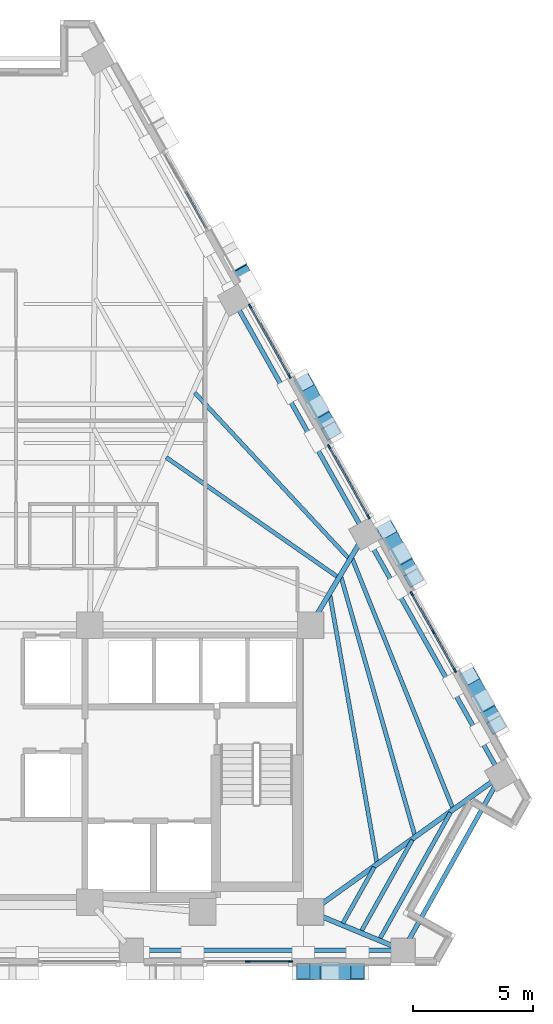
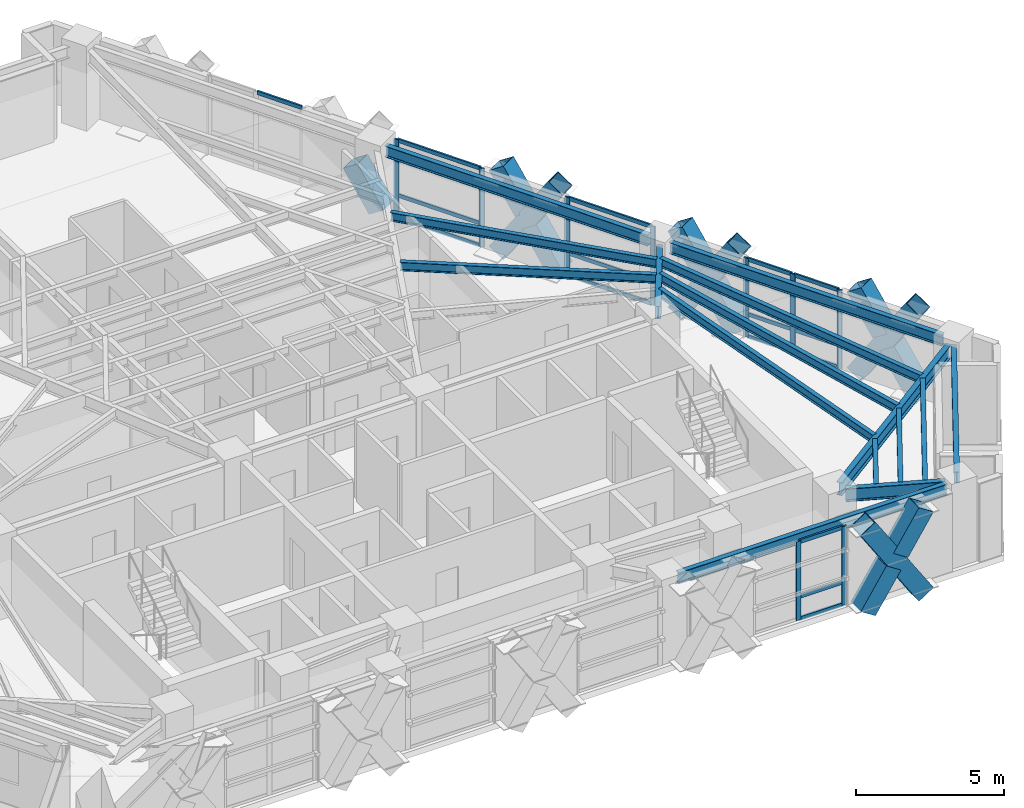
# One storey, part 4 of 14: 38 members, 15 beams, 5 elements without a shape of their own.
"""IFC4 building model written with IfcOpenShell, lengths in metres."""

from ifc_helpers import new_model, si_unit, direction, frame, origin, origin_2d, place, context, subcontext, project, spatial, rectangle, hollow_rectangle, i_section, extrude, material, material_profile, profile_set, type_object, element, aggregate, save


model = new_model("IFC4")

# Units and contexts
model_context = context("Model", 3, precision=1e-05, world=origin(), true_north=direction((0.0, 1.0)))
body_context = subcontext(model_context, "Body", "Model", "MODEL_VIEW")
ifc_project = project(units=[si_unit("LENGTHUNIT", "METRE"), si_unit("AREAUNIT", "SQUARE_METRE"), si_unit("VOLUMEUNIT", "CUBIC_METRE"), si_unit("PLANEANGLEUNIT", "RADIAN"), si_unit("MASSUNIT", "GRAM", prefix="KILO")], contexts=[model_context])

# Site, building, storey
site_placement = place(None, origin())
site = spatial("IfcSite", under=ifc_project, at=site_placement, CompositionType="ELEMENT")
building_placement = place(site_placement, origin())
building = spatial("IfcBuilding", under=site, at=building_placement, Name="Quenlor Broadcast Tower", CompositionType="ELEMENT")
storey_placement = place(building_placement, frame((0.0, 0.0, 144.0)))
storey = spatial("IfcBuildingStorey", under=building, at=storey_placement, Name="L39", CompositionType="ELEMENT", Elevation=144.0)

# Curtain wall, members
ifc_material_1 = material(Name="Architectural Terracotta and Low-E Glazing", Category="masonry")
curtain_wall_type = type_object("IfcCurtainWallType", Name="Unitised Terracotta Curtain Wall System Z3", PredefinedType="NOTDEFINED", material=ifc_material_1)
curtain_wall_1_placement = place(storey_placement, origin())
curtain_wall_1 = element("IfcCurtainWall", 1, at=curtain_wall_1_placement, inside=storey, type_object=curtain_wall_type, Name="L39 Curtain Wall CW3 (L39-SA-G1)", PredefinedType="NOTDEFINED")
ifc_material_2 = material(Name="Aluminium 6063-T6", Category="aluminium")
ifc_material_profile_1 = material_profile(ifc_material_2, rectangle(XDim=0.070068359375, YDim=0.18994140625, at=origin_2d()))
ifc_profile_set_1 = profile_set([ifc_material_profile_1], Name="Aluminium 6063-T6 MULL70x190")
member_type_1 = type_object("IfcMemberType", Name="CW3 Aluminium Mullion MULL_CW3", PredefinedType="MULLION", material=ifc_profile_set_1)
member_1_placement = place(storey_placement, frame((12.114013671875, -18.824951171875, 0.0), z_axis=(0.0, 0.0, 1.0), x_axis=(0.0, -1.0, 0.0)))
member_1 = element("IfcMember", 2, at=member_1_placement, type_object=member_type_1, Name="CW3 mullion 1", PredefinedType="MULLION", context=body_context, shape_type="SweptSolid", body=[
    extrude(rectangle(XDim=0.070068359375, YDim=0.18994140625, at=origin_2d()), origin(), (0.0, 0.0, 1.0), 3.25),
])
member_2_placement = place(storey_placement, frame((10.33203125, -18.824951171875, 0.0), z_axis=(0.0, 0.0, 1.0), x_axis=(0.0, -1.0, 0.0)))
member_2 = element("IfcMember", 3, at=member_2_placement, type_object=member_type_1, Name="CW3 mullion 2", PredefinedType="MULLION", context=body_context, shape_type="SweptSolid", body=[
    extrude(rectangle(XDim=0.070068359375, YDim=0.18994140625, at=origin_2d()), origin(), (0.0, 0.0, 1.0), 3.25),
])

curtain_wall_2_placement = place(storey_placement, origin())
curtain_wall_2 = element("IfcCurtainWall", 4, at=curtain_wall_2_placement, inside=storey, type_object=curtain_wall_type, Name="L39 Curtain Wall CW3 (L39-NEC-G1)", PredefinedType="NOTDEFINED")
member_3_placement = place(storey_placement, frame((17.17138671875, -3.48388671875, 0.0), z_axis=(0.0, 0.0, 1.0), x_axis=(0.871576967495, 0.490258696743, 0.0)))
member_3 = element("IfcMember", 5, at=member_3_placement, type_object=member_type_1, Name="CW3 mullion 1", PredefinedType="MULLION", context=body_context, shape_type="SweptSolid", body=[
    extrude(rectangle(XDim=0.070068359375, YDim=0.18994140625, at=origin_2d()), origin(), (0.0, 0.0, 1.0), 3.25),
])
member_4_placement = place(storey_placement, frame((18.069580078125, -5.080810546875, 0.0), z_axis=(0.0, 0.0, 1.0), x_axis=(0.871576967495, 0.490258696743, 0.0)))
member_4 = element("IfcMember", 6, at=member_4_placement, type_object=member_type_1, Name="CW3 mullion 2", PredefinedType="MULLION", context=body_context, shape_type="SweptSolid", body=[
    extrude(rectangle(XDim=0.070068359375, YDim=0.18994140625, at=origin_2d()), origin(), (0.0, 0.0, 1.0), 3.25),
])
member_5_placement = place(storey_placement, frame((18.9677734375, -6.677490234375, 0.0), z_axis=(0.0, 0.0, 1.0), x_axis=(0.871576967495, 0.490258696743, 0.0)))
member_5 = element("IfcMember", 7, at=member_5_placement, type_object=member_type_1, Name="CW3 mullion 3", PredefinedType="MULLION", context=body_context, shape_type="SweptSolid", body=[
    extrude(rectangle(XDim=0.070068359375, YDim=0.18994140625, at=origin_2d()), origin(), (0.0, 0.0, 1.0), 3.25),
])

curtain_wall_3_placement = place(storey_placement, origin())
curtain_wall_3 = element("IfcCurtainWall", 8, at=curtain_wall_3_placement, inside=storey, type_object=curtain_wall_type, Name="L39 Curtain Wall CW3 (L39-NE-G1)", PredefinedType="NOTDEFINED")
member_6_placement = place(storey_placement, frame((10.428955078125, 8.50244140625, 0.0), z_axis=(0.0, 0.0, 1.0), x_axis=(0.871578660222, 0.490255687418, 0.0)))
member_6 = element("IfcMember", 9, at=member_6_placement, type_object=member_type_1, Name="CW3 mullion 1", PredefinedType="MULLION", context=body_context, shape_type="SweptSolid", body=[
    extrude(rectangle(XDim=0.070068359375, YDim=0.18994140625, at=origin_2d()), origin(), (0.0, 0.0, 1.0), 3.25),
])
member_7_placement = place(storey_placement, frame((12.071533203125, 5.582275390625, 0.0), z_axis=(0.0, 0.0, 1.0), x_axis=(0.871578660222, 0.490255687418, 0.0)))
member_7 = element("IfcMember", 10, at=member_7_placement, type_object=member_type_1, Name="CW3 mullion 2", PredefinedType="MULLION", context=body_context, shape_type="SweptSolid", body=[
    extrude(rectangle(XDim=0.070068359375, YDim=0.18994140625, at=origin_2d()), origin(), (0.0, 0.0, 1.0), 3.25),
])

curtain_wall_4_placement = place(storey_placement, origin())
curtain_wall_4 = element("IfcCurtainWall", 11, at=curtain_wall_4_placement, inside=storey, type_object=curtain_wall_type, Name="L39 Curtain Wall CW3 (L39-NE-G2)", PredefinedType="NOTDEFINED")
member_8_placement = place(storey_placement, frame((13.723388671875, 2.64599609375, 0.0), z_axis=(0.0, 0.0, 1.0), x_axis=(0.871571633105, 0.490268180048, 0.0)))
member_8 = element("IfcMember", 12, at=member_8_placement, type_object=member_type_1, Name="CW3 mullion 1", PredefinedType="MULLION", context=body_context, shape_type="SweptSolid", body=[
    extrude(rectangle(XDim=0.070068359375, YDim=0.18994140625, at=origin_2d()), origin(), (0.0, 0.0, 1.0), 3.25),
])
member_9_placement = place(storey_placement, frame((15.365966796875, -0.274169921875, 0.0), z_axis=(0.0, 0.0, 1.0), x_axis=(0.871571633105, 0.490268180048, 0.0)))
member_9 = element("IfcMember", 13, at=member_9_placement, type_object=member_type_1, Name="CW3 mullion 2", PredefinedType="MULLION", context=body_context, shape_type="SweptSolid", body=[
    extrude(rectangle(XDim=0.070068359375, YDim=0.18994140625, at=origin_2d()), origin(), (0.0, 0.0, 1.0), 3.25),
])

# Member
ifc_material_3 = material(Name="Aluminium 6063-T6", Category="aluminium")
ifc_material_profile_2 = material_profile(ifc_material_3, rectangle(XDim=0.070068359375, YDim=0.155029296875, at=origin_2d()))
ifc_profile_set_2 = profile_set([ifc_material_profile_2], Name="Aluminium 6063-T6 TRAN70x155")
member_type_2 = type_object("IfcMemberType", Name="CW3 Aluminium Transom TRAN_CW3", PredefinedType="USERDEFINED", material=ifc_profile_set_2)
member_10_placement = place(storey_placement, frame((12.0791015625, -18.824951171875, 0.034912109375), z_axis=(-1.0, 0.0, 0.0), x_axis=(0.0, -1.0, 0.0)))
member_10 = element("IfcMember", 14, at=member_10_placement, type_object=member_type_2, Name="CW3 transom 1.1", ObjectType="TRANSOM", PredefinedType="USERDEFINED", context=body_context, shape_type="SweptSolid", body=[
    extrude(rectangle(XDim=0.070068359375, YDim=0.155029296875, at=origin_2d()), origin(), (0.0, 0.0, 1.0), 1.712158203125),
])

member_11_placement = place(storey_placement, frame((12.0791015625, -18.824951171875, 0.949951171875), z_axis=(-1.0, 0.0, 0.0), x_axis=(0.0, -1.0, 0.0)))
member_11 = element("IfcMember", 15, at=member_11_placement, type_object=member_type_2, Name="CW3 transom 1.2", ObjectType="TRANSOM", PredefinedType="USERDEFINED", context=body_context, shape_type="SweptSolid", body=[
    extrude(rectangle(XDim=0.070068359375, YDim=0.155029296875, at=origin_2d()), origin(), (0.0, 0.0, 1.0), 1.712158203125),
])

member_12_placement = place(storey_placement, frame((12.0791015625, -18.824951171875, 3.215087890625), z_axis=(-1.0, 0.0, 0.0), x_axis=(0.0, -1.0, 0.0)))
member_12 = element("IfcMember", 16, at=member_12_placement, type_object=member_type_2, Name="CW3 transom 1.3", ObjectType="TRANSOM", PredefinedType="USERDEFINED", context=body_context, shape_type="SweptSolid", body=[
    extrude(rectangle(XDim=0.070068359375, YDim=0.155029296875, at=origin_2d()), origin(), (0.0, 0.0, 1.0), 1.712158203125),
])

aggregate(curtain_wall_1, [member_1, member_2, member_10, member_11, member_12])

# Curtain wall, member
curtain_wall_5_placement = place(storey_placement, origin())
curtain_wall_5 = element("IfcCurtainWall", 17, at=curtain_wall_5_placement, inside=storey, type_object=curtain_wall_type, Name="L39 Curtain Wall CW3 (L39-NEA-G1)", PredefinedType="NOTDEFINED")
member_13_placement = place(storey_placement, frame((7.742431640625, 13.278564453125, 3.215087890625), z_axis=(0.490353334151, -0.871523727553, 0.0), x_axis=(0.871523727553, 0.490353334151, 0.0)))
member_13 = element("IfcMember", 18, at=member_13_placement, type_object=member_type_2, Name="CW3 transom 2.3", ObjectType="TRANSOM", PredefinedType="USERDEFINED", context=body_context, shape_type="SweptSolid", body=[
    extrude(rectangle(XDim=0.070068359375, YDim=0.155029296875, at=origin_2d()), origin(), (0.0, 0.0, 1.0), 1.761962890625),
])
aggregate(curtain_wall_5, [member_13])

# Member
member_14_placement = place(storey_placement, frame((17.188720703125, -3.514404296875, 0.034912109375), z_axis=(0.490188879637, -0.871616235668, 0.0), x_axis=(0.871616235668, 0.490188879637, 0.0)))
member_14 = element("IfcMember", 19, at=member_14_placement, type_object=member_type_2, Name="CW3 transom 1.1", ObjectType="TRANSOM", PredefinedType="USERDEFINED", context=body_context, shape_type="SweptSolid", body=[
    extrude(rectangle(XDim=0.070068359375, YDim=0.155029296875, at=origin_2d()), origin(), (0.0, 0.0, 1.0), 1.76220703125),
])

member_15_placement = place(storey_placement, frame((17.188720703125, -3.514404296875, 0.949951171875), z_axis=(0.490188879637, -0.871616235668, 0.0), x_axis=(0.871616235668, 0.490188879637, 0.0)))
member_15 = element("IfcMember", 20, at=member_15_placement, type_object=member_type_2, Name="CW3 transom 1.2", ObjectType="TRANSOM", PredefinedType="USERDEFINED", context=body_context, shape_type="SweptSolid", body=[
    extrude(rectangle(XDim=0.070068359375, YDim=0.155029296875, at=origin_2d()), origin(), (0.0, 0.0, 1.0), 1.76220703125),
])

member_16_placement = place(storey_placement, frame((17.188720703125, -3.514404296875, 3.215087890625), z_axis=(0.490188879637, -0.871616235668, 0.0), x_axis=(0.871616235668, 0.490188879637, 0.0)))
member_16 = element("IfcMember", 21, at=member_16_placement, type_object=member_type_2, Name="CW3 transom 1.3", ObjectType="TRANSOM", PredefinedType="USERDEFINED", context=body_context, shape_type="SweptSolid", body=[
    extrude(rectangle(XDim=0.070068359375, YDim=0.155029296875, at=origin_2d()), origin(), (0.0, 0.0, 1.0), 1.76220703125),
])

member_17_placement = place(storey_placement, frame((18.0869140625, -5.111083984375, 0.034912109375), z_axis=(0.490188879637, -0.871616235668, 0.0), x_axis=(0.871616235668, 0.490188879637, 0.0)))
member_17 = element("IfcMember", 22, at=member_17_placement, type_object=member_type_2, Name="CW3 transom 2.1", ObjectType="TRANSOM", PredefinedType="USERDEFINED", context=body_context, shape_type="SweptSolid", body=[
    extrude(rectangle(XDim=0.070068359375, YDim=0.155029296875, at=origin_2d()), origin(), (0.0, 0.0, 1.0), 1.76220703125),
])

member_18_placement = place(storey_placement, frame((18.0869140625, -5.111083984375, 0.949951171875), z_axis=(0.490188879637, -0.871616235668, 0.0), x_axis=(0.871616235668, 0.490188879637, 0.0)))
member_18 = element("IfcMember", 23, at=member_18_placement, type_object=member_type_2, Name="CW3 transom 2.2", ObjectType="TRANSOM", PredefinedType="USERDEFINED", context=body_context, shape_type="SweptSolid", body=[
    extrude(rectangle(XDim=0.070068359375, YDim=0.155029296875, at=origin_2d()), origin(), (0.0, 0.0, 1.0), 1.76220703125),
])

member_19_placement = place(storey_placement, frame((18.0869140625, -5.111083984375, 3.215087890625), z_axis=(0.490188879637, -0.871616235668, 0.0), x_axis=(0.871616235668, 0.490188879637, 0.0)))
member_19 = element("IfcMember", 24, at=member_19_placement, type_object=member_type_2, Name="CW3 transom 2.3", ObjectType="TRANSOM", PredefinedType="USERDEFINED", context=body_context, shape_type="SweptSolid", body=[
    extrude(rectangle(XDim=0.070068359375, YDim=0.155029296875, at=origin_2d()), origin(), (0.0, 0.0, 1.0), 1.76220703125),
])

aggregate(curtain_wall_2, [member_3, member_4, member_5, member_14, member_15, member_16, member_17, member_18, member_19])

member_20_placement = place(storey_placement, frame((10.4462890625, 8.471923828125, 0.034912109375), z_axis=(0.490236504766, -0.871589450025, 0.0), x_axis=(0.871589450025, 0.490236504766, 0.0)))
member_20 = element("IfcMember", 25, at=member_20_placement, type_object=member_type_2, Name="CW3 transom 1.1", ObjectType="TRANSOM", PredefinedType="USERDEFINED", context=body_context, shape_type="SweptSolid", body=[
    extrude(rectangle(XDim=0.070068359375, YDim=0.155029296875, at=origin_2d()), origin(), (0.0, 0.0, 1.0), 3.2802734375),
])

member_21_placement = place(storey_placement, frame((10.4462890625, 8.471923828125, 0.949951171875), z_axis=(0.490236504766, -0.871589450025, 0.0), x_axis=(0.871589450025, 0.490236504766, 0.0)))
member_21 = element("IfcMember", 26, at=member_21_placement, type_object=member_type_2, Name="CW3 transom 1.2", ObjectType="TRANSOM", PredefinedType="USERDEFINED", context=body_context, shape_type="SweptSolid", body=[
    extrude(rectangle(XDim=0.070068359375, YDim=0.155029296875, at=origin_2d()), origin(), (0.0, 0.0, 1.0), 3.2802734375),
])

member_22_placement = place(storey_placement, frame((10.4462890625, 8.471923828125, 3.215087890625), z_axis=(0.490236504766, -0.871589450025, 0.0), x_axis=(0.871589450025, 0.490236504766, 0.0)))
member_22 = element("IfcMember", 27, at=member_22_placement, type_object=member_type_2, Name="CW3 transom 1.3", ObjectType="TRANSOM", PredefinedType="USERDEFINED", context=body_context, shape_type="SweptSolid", body=[
    extrude(rectangle(XDim=0.070068359375, YDim=0.155029296875, at=origin_2d()), origin(), (0.0, 0.0, 1.0), 3.2802734375),
])

aggregate(curtain_wall_3, [member_6, member_7, member_20, member_21, member_22])

member_23_placement = place(storey_placement, frame((13.740478515625, 2.615478515625, 0.034912109375), z_axis=(0.490293039863, -0.871557648731, 0.0), x_axis=(0.871557648731, 0.490293039863, 0.0)))
member_23 = element("IfcMember", 28, at=member_23_placement, type_object=member_type_2, Name="CW3 transom 1.1", ObjectType="TRANSOM", PredefinedType="USERDEFINED", context=body_context, shape_type="SweptSolid", body=[
    extrude(rectangle(XDim=0.070068359375, YDim=0.155029296875, at=origin_2d()), origin(), (0.0, 0.0, 1.0), 3.280517578125),
])

member_24_placement = place(storey_placement, frame((13.740478515625, 2.615478515625, 0.949951171875), z_axis=(0.490293039863, -0.871557648731, 0.0), x_axis=(0.871557648731, 0.490293039863, 0.0)))
member_24 = element("IfcMember", 29, at=member_24_placement, type_object=member_type_2, Name="CW3 transom 1.2", ObjectType="TRANSOM", PredefinedType="USERDEFINED", context=body_context, shape_type="SweptSolid", body=[
    extrude(rectangle(XDim=0.070068359375, YDim=0.155029296875, at=origin_2d()), origin(), (0.0, 0.0, 1.0), 3.280517578125),
])

member_25_placement = place(storey_placement, frame((13.740478515625, 2.615478515625, 3.215087890625), z_axis=(0.490293039863, -0.871557648731, 0.0), x_axis=(0.871557648731, 0.490293039863, 0.0)))
member_25 = element("IfcMember", 30, at=member_25_placement, type_object=member_type_2, Name="CW3 transom 1.3", ObjectType="TRANSOM", PredefinedType="USERDEFINED", context=body_context, shape_type="SweptSolid", body=[
    extrude(rectangle(XDim=0.070068359375, YDim=0.155029296875, at=origin_2d()), origin(), (0.0, 0.0, 1.0), 3.280517578125),
])

aggregate(curtain_wall_4, [member_8, member_9, member_23, member_24, member_25])

# Members
ifc_material_4 = material(Name="Steel S355", Category="steel")
ifc_material_profile_3 = material_profile(ifc_material_4, hollow_rectangle(XDim=0.679931640625, YDim=0.679931640625, WallThickness=0.02490234375, at=origin_2d()))
ifc_profile_set_3 = profile_set([ifc_material_profile_3], Name="Steel S355 RHS680x680x25")
member_type_3 = type_object("IfcMemberType", Name="Perimeter Diagonal Lattice Brace Z3-Z4 Steel S355 RHS680x25", PredefinedType="BRACE", material=ifc_profile_set_3)
member_26_placement = place(storey_placement, frame((14.91015625, -19.219970703125, -0.1201171875), z_axis=(-0.543860340502, 0.0, 0.839175744424), x_axis=(0.0, -1.0, 0.0)))
element("IfcMember", 31, at=member_26_placement, inside=storey, type_object=member_type_3, Name="L39 Perimeter Diamond Lattice S-C1XA", PredefinedType="BRACE", context=body_context, shape_type="SweptSolid", body=[
    extrude(hollow_rectangle(XDim=0.679931640625, YDim=0.679931640625, WallThickness=0.02490234375, at=origin_2d()), origin(), (0.0, 0.0, 1.0), 4.170654296875),
])
member_27_placement = place(storey_placement, frame((12.641845703125, -19.219970703125, -0.1201171875), z_axis=(0.543786168213, 0.0, 0.839223809994), x_axis=(0.0, 1.0, 0.0)))
element("IfcMember", 32, at=member_27_placement, inside=storey, type_object=member_type_3, Name="L39 Perimeter Diamond Lattice S-C1XB1", PredefinedType="BRACE", context=body_context, shape_type="SweptSolid", body=[
    extrude(hollow_rectangle(XDim=0.679931640625, YDim=0.679931640625, WallThickness=0.02490234375, at=origin_2d()), origin(), (0.0, 0.0, 1.0), 1.83544921875),
])
member_28_placement = place(storey_placement, frame((13.912109375, -19.219970703125, 1.83984375), z_axis=(0.543846878394, 0.0, 0.839184468911), x_axis=(0.0, 1.0, 0.0)))
element("IfcMember", 33, at=member_28_placement, inside=storey, type_object=member_type_3, Name="L39 Perimeter Diamond Lattice S-C1XB2", PredefinedType="BRACE", context=body_context, shape_type="SweptSolid", body=[
    extrude(hollow_rectangle(XDim=0.679931640625, YDim=0.679931640625, WallThickness=0.02490234375, at=origin_2d()), origin(), (0.0, 0.0, 1.0), 1.835205078125),
])
member_29_placement = place(storey_placement, frame((10.361572265625, 9.428466796875, -0.1201171875), z_axis=(-0.270633624024, 0.480906307989, 0.833958370954), x_axis=(-0.871479637717, -0.49043168846, 0.0)))
element("IfcMember", 34, at=member_29_placement, inside=storey, type_object=member_type_3, Name="L39 Perimeter Diamond Lattice NE-C2XB1", PredefinedType="BRACE", context=body_context, shape_type="SweptSolid", body=[
    extrude(hollow_rectangle(XDim=0.679931640625, YDim=0.679931640625, WallThickness=0.02490234375, at=origin_2d()), origin(), (0.0, 0.0, 1.0), 1.848388671875),
])
member_30_placement = place(storey_placement, frame((12.674072265625, 5.317138671875, -0.1201171875), z_axis=(0.270556764115, -0.480963948764, 0.833950068878), x_axis=(0.871564276035, 0.49028125881, 0.0)))
element("IfcMember", 35, at=member_30_placement, inside=storey, type_object=member_type_3, Name="L39 Perimeter Diamond Lattice NE-C3XA", PredefinedType="BRACE", context=body_context, shape_type="SweptSolid", body=[
    extrude(hollow_rectangle(XDim=0.679931640625, YDim=0.679931640625, WallThickness=0.02490234375, at=origin_2d()), origin(), (0.0, 0.0, 1.0), 4.19677734375),
])
member_31_placement = place(storey_placement, frame((13.8095703125, 3.298583984375, -0.1201171875), z_axis=(-0.270633624024, 0.480906307989, 0.833958370954), x_axis=(-0.871479637717, -0.49043168846, 0.0)))
element("IfcMember", 36, at=member_31_placement, inside=storey, type_object=member_type_3, Name="L39 Perimeter Diamond Lattice NE-C3XB1", PredefinedType="BRACE", context=body_context, shape_type="SweptSolid", body=[
    extrude(hollow_rectangle(XDim=0.679931640625, YDim=0.679931640625, WallThickness=0.02490234375, at=origin_2d()), origin(), (0.0, 0.0, 1.0), 1.848388671875),
])
member_32_placement = place(storey_placement, frame((13.17431640625, 4.427978515625, 1.83837890625), z_axis=(-0.270616433058, 0.481007832697, 0.833905396938), x_axis=(-0.871537189362, -0.490329407194, 0.0)))
element("IfcMember", 37, at=member_32_placement, inside=storey, type_object=member_type_3, Name="L39 Perimeter Diamond Lattice NE-C3XB2", PredefinedType="BRACE", context=body_context, shape_type="SweptSolid", body=[
    extrude(hollow_rectangle(XDim=0.679931640625, YDim=0.679931640625, WallThickness=0.02490234375, at=origin_2d()), origin(), (0.0, 0.0, 1.0), 1.8486328125),
])
member_33_placement = place(storey_placement, frame((16.1220703125, -0.812744140625, -0.1201171875), z_axis=(0.2705491942, -0.481008661973, 0.833926735766), x_axis=(0.871589611547, 0.490236217596, 0.0)))
element("IfcMember", 38, at=member_33_placement, inside=storey, type_object=member_type_3, Name="L39 Perimeter Diamond Lattice NE-C4XA", PredefinedType="BRACE", context=body_context, shape_type="SweptSolid", body=[
    extrude(hollow_rectangle(XDim=0.679931640625, YDim=0.679931640625, WallThickness=0.02490234375, at=origin_2d()), origin(), (0.0, 0.0, 1.0), 4.197021484375),
])
member_34_placement = place(storey_placement, frame((17.257568359375, -2.83154296875, -0.1201171875), z_axis=(-0.270494026149, 0.481025021111, 0.833935195853), x_axis=(-0.871639445711, -0.490147607034, 0.0)))
element("IfcMember", 39, at=member_34_placement, inside=storey, type_object=member_type_3, Name="L39 Perimeter Diamond Lattice NE-C4XB1", PredefinedType="BRACE", context=body_context, shape_type="SweptSolid", body=[
    extrude(hollow_rectangle(XDim=0.679931640625, YDim=0.679931640625, WallThickness=0.02490234375, at=origin_2d()), origin(), (0.0, 0.0, 1.0), 1.848388671875),
])
member_35_placement = place(storey_placement, frame((16.622314453125, -1.701904296875, 1.83837890625), z_axis=(-0.270616433058, 0.481007832697, 0.833905396938), x_axis=(-0.871537189362, -0.490329407194, 0.0)))
element("IfcMember", 40, at=member_35_placement, inside=storey, type_object=member_type_3, Name="L39 Perimeter Diamond Lattice NE-C4XB2", PredefinedType="BRACE", context=body_context, shape_type="SweptSolid", body=[
    extrude(hollow_rectangle(XDim=0.679931640625, YDim=0.679931640625, WallThickness=0.02490234375, at=origin_2d()), origin(), (0.0, 0.0, 1.0), 1.8486328125),
])
member_36_placement = place(storey_placement, frame((19.5703125, -6.942626953125, -0.1201171875), z_axis=(0.2705491942, -0.481008661973, 0.833926735766), x_axis=(0.871589611547, 0.490236217596, 0.0)))
element("IfcMember", 41, at=member_36_placement, inside=storey, type_object=member_type_3, Name="L39 Perimeter Diamond Lattice NE-C5XA", PredefinedType="BRACE", context=body_context, shape_type="SweptSolid", body=[
    extrude(hollow_rectangle(XDim=0.679931640625, YDim=0.679931640625, WallThickness=0.02490234375, at=origin_2d()), origin(), (0.0, 0.0, 1.0), 4.197021484375),
])
member_37_placement = place(storey_placement, frame((20.705810546875, -8.96142578125, -0.1201171875), z_axis=(-0.270616433058, 0.481007832697, 0.833905396938), x_axis=(-0.871537189362, -0.490329407194, 0.0)))
element("IfcMember", 42, at=member_37_placement, inside=storey, type_object=member_type_3, Name="L39 Perimeter Diamond Lattice NE-C5XB1", PredefinedType="BRACE", context=body_context, shape_type="SweptSolid", body=[
    extrude(hollow_rectangle(XDim=0.679931640625, YDim=0.679931640625, WallThickness=0.02490234375, at=origin_2d()), origin(), (0.0, 0.0, 1.0), 1.8486328125),
])
member_38_placement = place(storey_placement, frame((20.0703125, -7.831787109375, 1.83837890625), z_axis=(-0.270494026149, 0.481025021111, 0.833935195853), x_axis=(-0.871639445711, -0.490147607034, 0.0)))
element("IfcMember", 43, at=member_38_placement, inside=storey, type_object=member_type_3, Name="L39 Perimeter Diamond Lattice NE-C5XB2", PredefinedType="BRACE", context=body_context, shape_type="SweptSolid", body=[
    extrude(hollow_rectangle(XDim=0.679931640625, YDim=0.679931640625, WallThickness=0.02490234375, at=origin_2d()), origin(), (0.0, 0.0, 1.0), 1.848388671875),
])

# Beams
ifc_material_5 = material(Name="Steel S355", Category="steel")
ifc_material_profile_4 = material_profile(ifc_material_5, i_section(OverallWidth=0.19091796875, OverallDepth=0.46044921875, WebThickness=0.010009765625, FlangeThickness=0.01611328125, FilletRadius=0.011474609375, at=origin_2d()))
ifc_profile_set_4 = profile_set([ifc_material_profile_4], Name="Steel S355 460UB82.1")
beam_type_1 = type_object("IfcBeamType", Name="Perimeter Spandrel Beam Z3 Steel S355 460UB82.1", PredefinedType="SPANDREL", material=ifc_profile_set_4)
beam_1_placement = place(storey_placement, frame((5.89111328125, -18.35009765625, 3.019775390625), z_axis=(1.0, 0.0, 0.0), x_axis=(0.0, 1.0, 0.0)))
element("IfcBeam", 44, at=beam_1_placement, inside=storey, type_object=beam_type_1, Name="L39 Spandrel Beam S3-S4", PredefinedType="SPANDREL", context=body_context, shape_type="SweptSolid", body=[
    extrude(i_section(OverallWidth=0.19091796875, OverallDepth=0.46044921875, WebThickness=0.010009765625, FlangeThickness=0.01611328125, FilletRadius=0.011474609375, at=origin_2d()), origin(), (0.0, 0.0, 1.0), 10.50732421875),
])
beam_2_placement = place(storey_placement, frame((17.008544921875, -17.9921875, 3.019775390625), z_axis=(0.488298439934, 0.872676706208, 0.0), x_axis=(-0.872676706208, 0.488298439934, 0.0)))
element("IfcBeam", 45, at=beam_2_placement, inside=storey, type_object=beam_type_1, Name="L39 Spandrel Beam S4-NE1", PredefinedType="SPANDREL", context=body_context, shape_type="SweptSolid", body=[
    extrude(i_section(OverallWidth=0.19091796875, OverallDepth=0.46044921875, WebThickness=0.010009765625, FlangeThickness=0.01611328125, FilletRadius=0.011474609375, at=origin_2d()), origin(), (0.0, 0.0, 1.0), 7.5341796875),
])
beam_3_placement = place(storey_placement, frame((20.686767578125, -10.7021484375, 3.019775390625), z_axis=(-0.490257999604, 0.871577359633, 0.0), x_axis=(-0.871577359633, -0.490257999604, 0.0)))
element("IfcBeam", 46, at=beam_3_placement, inside=storey, type_object=beam_type_1, Name="L39 Spandrel Beam NE1-NE2", PredefinedType="SPANDREL", context=body_context, shape_type="SweptSolid", body=[
    extrude(i_section(OverallWidth=0.19091796875, OverallDepth=0.46044921875, WebThickness=0.010009765625, FlangeThickness=0.01611328125, FilletRadius=0.011474609375, at=origin_2d()), origin(), (0.0, 0.0, 1.0), 10.732666015625),
])
beam_4_placement = place(storey_placement, frame((15.02294921875, -0.63330078125, 3.019775390625), z_axis=(-0.490252288562, 0.871580572041, 0.0), x_axis=(-0.871580572041, -0.490252288562, 0.0)))
element("IfcBeam", 47, at=beam_4_placement, inside=storey, type_object=beam_type_1, Name="L39 Spandrel Beam NE2-NE3", PredefinedType="SPANDREL", context=body_context, shape_type="SweptSolid", body=[
    extrude(i_section(OverallWidth=0.19091796875, OverallDepth=0.46044921875, WebThickness=0.010009765625, FlangeThickness=0.01611328125, FilletRadius=0.011474609375, at=origin_2d()), origin(), (0.0, 0.0, 1.0), 10.359619140625),
])
ifc_material_6 = material(Name="Steel S355", Category="steel")
ifc_material_profile_5 = material_profile(ifc_material_6, i_section(OverallWidth=0.172119140625, OverallDepth=0.358642578125, WebThickness=0.008056640625, FlangeThickness=0.012939453125, FilletRadius=0.011474609375, at=origin_2d()))
ifc_profile_set_5 = profile_set([ifc_material_profile_5], Name="Steel S355 360UB56.7")
beam_type_2 = type_object("IfcBeamType", Name="Tower Composite Joist Z2-Z3 Steel S355 360UB56.7", PredefinedType="JOIST", material=ifc_profile_set_5)
beam_5_placement = place(storey_placement, frame((14.06689453125, -2.7734375, 3.07080078125), z_axis=(-0.82026568394, 0.57198269882, 0.0), x_axis=(-0.57198269882, -0.82026568394, 0.0)))
element("IfcBeam", 48, at=beam_5_placement, inside=storey, type_object=beam_type_2, Name="L39 Secondary Composite Joist 11", PredefinedType="JOIST", context=body_context, shape_type="SweptSolid", body=[
    extrude(i_section(OverallWidth=0.172119140625, OverallDepth=0.358642578125, WebThickness=0.008056640625, FlangeThickness=0.012939453125, FilletRadius=0.011474609375, at=origin_2d()), origin(), (0.0, 0.0, 1.0), 8.698486328125),
])
beam_6_placement = place(storey_placement, frame((14.53271484375, -1.998779296875, 3.07080078125), z_axis=(-0.680873505991, 0.732401030065, 0.0), x_axis=(-0.732401030065, -0.680873505991, 0.0)))
element("IfcBeam", 49, at=beam_6_placement, inside=storey, type_object=beam_type_2, Name="L39 Secondary Composite Joist 12", PredefinedType="JOIST", context=body_context, shape_type="SweptSolid", body=[
    extrude(i_section(OverallWidth=0.172119140625, OverallDepth=0.358642578125, WebThickness=0.008056640625, FlangeThickness=0.012939453125, FilletRadius=0.011474609375, at=origin_2d()), origin(), (0.0, 0.0, 1.0), 9.419189453125),
])
beam_7_placement = place(storey_placement, frame((15.71435546875, -14.679443359375, 3.07080078125), z_axis=(-0.172906811417, 0.984938188195, 0.0), x_axis=(-0.984938188195, -0.172906811417, 0.0)))
element("IfcBeam", 50, at=beam_7_placement, inside=storey, type_object=beam_type_2, Name="L39 Secondary Composite Joist 16", PredefinedType="JOIST", context=body_context, shape_type="SweptSolid", body=[
    extrude(i_section(OverallWidth=0.172119140625, OverallDepth=0.358642578125, WebThickness=0.008056640625, FlangeThickness=0.012939453125, FilletRadius=0.011474609375, at=origin_2d()), origin(), (0.0, 0.0, 1.0), 11.30419921875),
])
beam_8_placement = place(storey_placement, frame((17.293701171875, -13.543212890625, 3.07080078125), z_axis=(-0.274418577045, 0.961610339261, 0.0), x_axis=(-0.961610339261, -0.274418577045, 0.0)))
element("IfcBeam", 51, at=beam_8_placement, inside=storey, type_object=beam_type_2, Name="L39 Secondary Composite Joist 17", PredefinedType="JOIST", context=body_context, shape_type="SweptSolid", body=[
    extrude(i_section(OverallWidth=0.172119140625, OverallDepth=0.358642578125, WebThickness=0.008056640625, FlangeThickness=0.012939453125, FilletRadius=0.011474609375, at=origin_2d()), origin(), (0.0, 0.0, 1.0), 11.191162109375),
])
beam_9_placement = place(storey_placement, frame((18.873291015625, -12.407958984375, 3.07080078125), z_axis=(-0.373824118901, 0.927499610851, 0.0), x_axis=(-0.927499610851, -0.373824118901, 0.0)))
element("IfcBeam", 52, at=beam_9_placement, inside=storey, type_object=beam_type_2, Name="L39 Secondary Composite Joist 18", PredefinedType="JOIST", context=body_context, shape_type="SweptSolid", body=[
    extrude(i_section(OverallWidth=0.172119140625, OverallDepth=0.358642578125, WebThickness=0.008056640625, FlangeThickness=0.012939453125, FilletRadius=0.011474609375, at=origin_2d()), origin(), (0.0, 0.0, 1.0), 11.203125),
])
beam_10_placement = place(storey_placement, frame((14.30078125, -17.22412109375, 3.07080078125), z_axis=(0.488370382241, 0.87263644764, 0.0), x_axis=(-0.87263644764, 0.488370382241, 0.0)))
element("IfcBeam", 53, at=beam_10_placement, inside=storey, type_object=beam_type_2, Name="L39 Secondary Composite Joist 22", PredefinedType="JOIST", context=body_context, shape_type="SweptSolid", body=[
    extrude(i_section(OverallWidth=0.172119140625, OverallDepth=0.358642578125, WebThickness=0.008056640625, FlangeThickness=0.012939453125, FilletRadius=0.011474609375, at=origin_2d()), origin(), (0.0, 0.0, 1.0), 2.680419921875),
])
beam_11_placement = place(storey_placement, frame((15.072509765625, -17.544189453125, 3.07080078125), z_axis=(0.488294103756, 0.872679132463, 0.0), x_axis=(-0.872679132463, 0.488294103756, 0.0)))
element("IfcBeam", 54, at=beam_11_placement, inside=storey, type_object=beam_type_2, Name="L39 Secondary Composite Joist 23", PredefinedType="JOIST", context=body_context, shape_type="SweptSolid", body=[
    extrude(i_section(OverallWidth=0.172119140625, OverallDepth=0.358642578125, WebThickness=0.008056640625, FlangeThickness=0.012939453125, FilletRadius=0.011474609375, at=origin_2d()), origin(), (0.0, 0.0, 1.0), 4.351318359375),
])
beam_12_placement = place(storey_placement, frame((15.84423828125, -17.8642578125, 3.07080078125), z_axis=(0.488308300212, 0.872671188905, 0.0), x_axis=(-0.872671188905, 0.488308300212, 0.0)))
element("IfcBeam", 55, at=beam_12_placement, inside=storey, type_object=beam_type_2, Name="L39 Secondary Composite Joist 24", PredefinedType="JOIST", context=body_context, shape_type="SweptSolid", body=[
    extrude(i_section(OverallWidth=0.172119140625, OverallDepth=0.358642578125, WebThickness=0.008056640625, FlangeThickness=0.012939453125, FilletRadius=0.011474609375, at=origin_2d()), origin(), (0.0, 0.0, 1.0), 6.022216796875),
])
ifc_material_7 = material(Name="Steel S355", Category="steel")
ifc_material_profile_6 = material_profile(ifc_material_7, i_section(OverallWidth=0.208984375, OverallDepth=0.532958984375, WebThickness=0.01025390625, FlangeThickness=0.015625, FilletRadius=0.013916015625, at=origin_2d()))
ifc_profile_set_6 = profile_set([ifc_material_profile_6], Name="Steel S355 530UB92.4")
beam_type_3 = type_object("IfcBeamType", Name="Tower Primary Floor Beam Z3 Steel S355 530UB92.4", PredefinedType="BEAM", material=ifc_profile_set_6)
beam_13_placement = place(storey_placement, frame((16.4296875, -18.19287109375, 2.9833984375), z_axis=(-0.923730294618, 0.383043525993, 0.0), x_axis=(-0.383043525993, -0.923730294618, 0.0)))
element("IfcBeam", 56, at=beam_13_placement, inside=storey, type_object=beam_type_3, Name="L39 Primary Radial Beam S4", PredefinedType="BEAM", context=body_context, shape_type="SweptSolid", body=[
    extrude(i_section(OverallWidth=0.208984375, OverallDepth=0.532958984375, WebThickness=0.01025390625, FlangeThickness=0.015625, FilletRadius=0.013916015625, at=origin_2d()), origin(), (0.0, 0.0, 1.0), 3.386962890625),
])
beam_14_placement = place(storey_placement, frame((20.554443359375, -11.29833984375, 2.9833984375), z_axis=(-0.812728908832, -0.582642017666, 0.0), x_axis=(0.582642017666, -0.812728908832, 0.0)))
element("IfcBeam", 57, at=beam_14_placement, inside=storey, type_object=beam_type_3, Name="L39 Primary Radial Beam NE1", PredefinedType="BEAM", context=body_context, shape_type="SweptSolid", body=[
    extrude(i_section(OverallWidth=0.208984375, OverallDepth=0.532958984375, WebThickness=0.01025390625, FlangeThickness=0.015625, FilletRadius=0.013916015625, at=origin_2d()), origin(), (0.0, 0.0, 1.0), 8.976806640625),
])
beam_15_placement = place(storey_placement, frame((15.013916015625, -1.3427734375, 2.9833984375), z_axis=(-0.512604023694, -0.858625130597, 0.0), x_axis=(0.858625130597, -0.512604023694, 0.0)))
element("IfcBeam", 58, at=beam_15_placement, inside=storey, type_object=beam_type_3, Name="L39 Primary Radial Beam NE2", PredefinedType="BEAM", context=body_context, shape_type="SweptSolid", body=[
    extrude(i_section(OverallWidth=0.208984375, OverallDepth=0.532958984375, WebThickness=0.01025390625, FlangeThickness=0.015625, FilletRadius=0.013916015625, at=origin_2d()), origin(), (0.0, 0.0, 1.0), 3.646484375),
])

save(model, "model.ifc")
